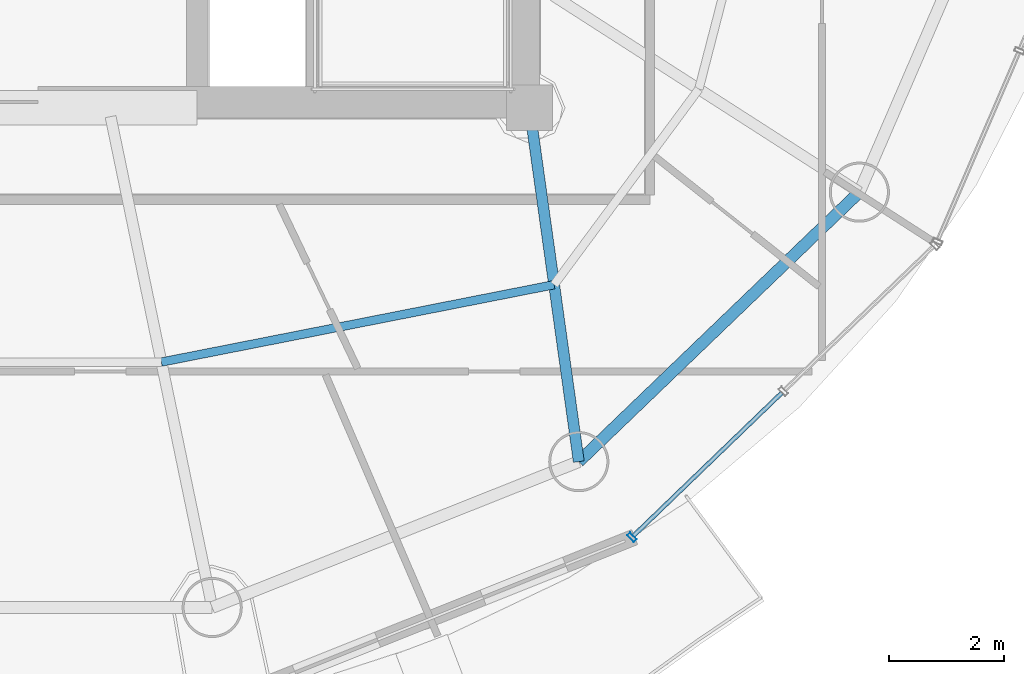
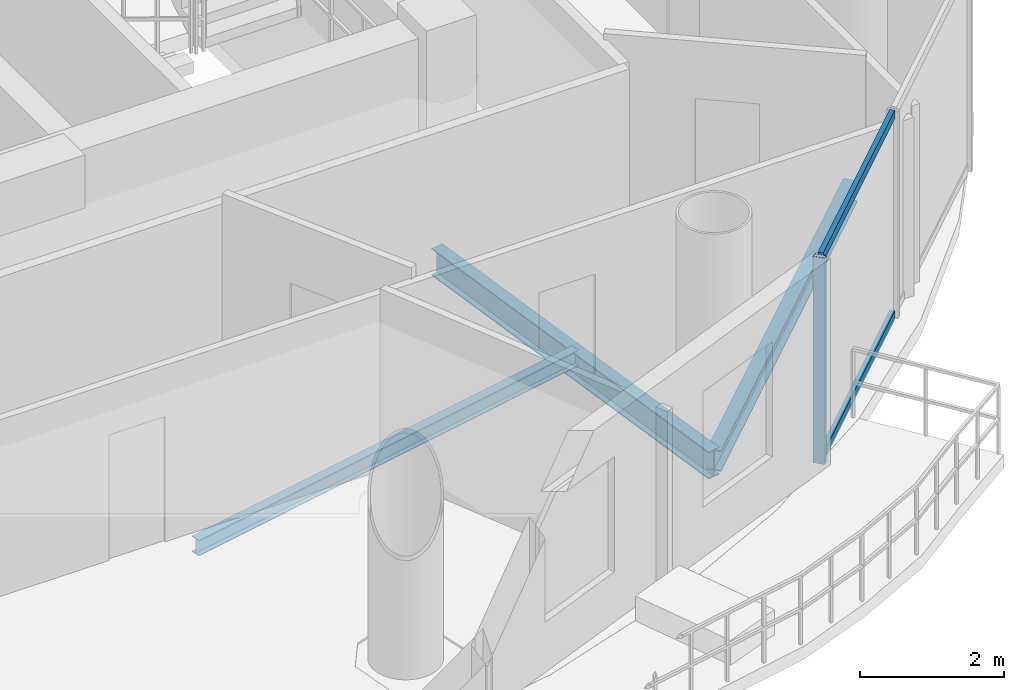
# One storey, part 6 of 24: 3 beams, 3 members, 1 element without a shape of its own.
"""IFC4 building model written with IfcOpenShell, lengths in metres."""

import ifcopenshell
import ifcopenshell.guid

model = None  # the IFC model being written
_history = None  # IfcOwnerHistory: only IFC2X3 demands one
_inside = {}  # id of a spatial element -> (the spatial element, [elements in it])
_under = {}  # id of a project, library or spatial element -> (it, [spatial elements below it])
_declared = {}  # id of a project -> (the project, [libraries it declares])
_typed = {}  # id of a type object -> (the type object, [elements of that type])
_made_of = {}  # id of a material, layer set ... -> (it, [elements and type objects made of it])


def new_model(schema):
    """Start an empty IFC model of exactly this schema.

    Asked for "IFC4X3", IfcOpenShell would pick the latest addendum, in which some entities
    have other attributes; the version numbers below select the first issue.
    IFC2X3 requires an IfcOwnerHistory on every rooted entity: one is made here for all.
    """
    global model, _history
    if schema == "IFC4X3":
        model = ifcopenshell.file(schema_version=(4, 3, 0, 0))
    else:
        model = ifcopenshell.file(schema=schema)
    _inside.clear()
    _under.clear()
    _declared.clear()
    _typed.clear()
    _made_of.clear()
    _history = None
    if model.schema == "IFC2X3":
        org = make("IfcOrganization", Name="unknown")
        user = make(
            "IfcPersonAndOrganization",
            ThePerson=make("IfcPerson", FamilyName="unknown"),
            TheOrganization=org,
        )
        app = make(
            "IfcApplication",
            ApplicationDeveloper=org,
            Version="unknown",
            ApplicationFullName="unknown",
            ApplicationIdentifier="unknown",
        )
        _history = make(
            "IfcOwnerHistory",
            OwningUser=user,
            OwningApplication=app,
            ChangeAction="ADDED",
            CreationDate=0,
        )
    return model


def make(cls, **values):
    """One entity of the class cls with the attributes given. An attribute that is None is left unset."""
    return model.create_entity(
        cls, **{name: value for name, value in values.items() if value is not None}
    )


def rooted(cls, **values):
    """An entity with a GlobalId (a new one), such as an element, a storey or a relation."""
    return make(cls, GlobalId=ifcopenshell.guid.new(), OwnerHistory=_history, **values)


def si_unit(unit_type, name, prefix=None):
    """IfcSIUnit, for example si_unit("LENGTHUNIT", "METRE", prefix="MILLI")."""
    return make("IfcSIUnit", UnitType=unit_type, Prefix=prefix, Name=name)


def assignment(units):
    """IfcUnitAssignment: the units of a project."""
    return None if units is None else make("IfcUnitAssignment", Units=units)


def point(xyz):
    """IfcCartesianPoint."""
    return None if xyz is None else make("IfcCartesianPoint", Coordinates=xyz)


def direction(xyz):
    """IfcDirection."""
    return None if xyz is None else make("IfcDirection", DirectionRatios=xyz)


def frame(location, z_axis=None, x_axis=None):
    """IfcAxis2Placement3D, a coordinate frame: its origin and axes. An axis left out is left unset."""
    return make(
        "IfcAxis2Placement3D",
        Location=point(location),
        Axis=direction(z_axis),
        RefDirection=direction(x_axis),
    )


def frame_2d(location, x_axis=None):
    """IfcAxis2Placement2D, a coordinate frame in the plane: its origin and x axis."""
    return make(
        "IfcAxis2Placement2D", Location=point(location), RefDirection=direction(x_axis)
    )


def origin():
    """The frame at (0, 0, 0) with its axes left unset."""
    return frame((0.0, 0.0, 0.0))


def origin_2d():
    """The frame at (0, 0) in the plane with its x axis left unset."""
    return frame_2d((0.0, 0.0))


def place(relative_to, where):
    """IfcLocalPlacement: puts the frame where relative to a parent placement (None: the world)."""
    return make(
        "IfcLocalPlacement", PlacementRelTo=relative_to, RelativePlacement=where
    )


def context(
    kind, dimensions, precision=None, world=None, true_north=None, identifier=None
):
    """IfcGeometricRepresentationContext, for example the 3D "Model" context."""
    return make(
        "IfcGeometricRepresentationContext",
        ContextIdentifier=identifier,
        ContextType=kind,
        CoordinateSpaceDimension=dimensions,
        Precision=precision,
        WorldCoordinateSystem=world,
        TrueNorth=true_north,
    )


def subcontext(parent, identifier, kind, view, scale=None):
    """IfcGeometricRepresentationSubContext, for example "Body" below "Model"."""
    return make(
        "IfcGeometricRepresentationSubContext",
        ContextIdentifier=identifier,
        ContextType=kind,
        ParentContext=parent,
        TargetScale=scale,
        TargetView=view,
    )


def project(units=None, contexts=None):
    """IfcProject with its units and contexts."""
    return rooted(
        "IfcProject",
        Name="project",
        RepresentationContexts=contexts,
        UnitsInContext=assignment(units),
    )


def spatial(cls, under=None, at=None, **own):
    """A site, building, storey or space (cls), placed at a placement, below another one or the project."""
    s = rooted(cls, ObjectPlacement=at, **own)
    if under is not None:
        _under.setdefault(under.id(), (under, []))[1].append(s)
    return s


def profile(cls, at=None, kind="AREA", **sizes):
    """A parametric profile (cls). Its sizes go by their IFC names, for example OverallWidth=200.0."""
    return make(cls, ProfileType=kind, Position=at, **sizes)


def hollow_rectangle(**sizes):
    """IfcRectangleHollowProfileDef."""
    return profile("IfcRectangleHollowProfileDef", **sizes)


def i_section(**sizes):
    """IfcIShapeProfileDef."""
    return profile("IfcIShapeProfileDef", **sizes)


def extrude(swept, where, along, depth):
    """IfcExtrudedAreaSolid: the profile swept, set in the frame where, extruded along a direction by depth."""
    return make(
        "IfcExtrudedAreaSolid",
        SweptArea=swept,
        Position=where,
        ExtrudedDirection=direction(along),
        Depth=depth,
    )


def shape(context_of_items, identifier, shape_type, items):
    """IfcShapeRepresentation: the items that make up one representation, for example the "Body"."""
    return make(
        "IfcShapeRepresentation",
        ContextOfItems=context_of_items,
        RepresentationIdentifier=identifier,
        RepresentationType=shape_type,
        Items=items,
    )


def source(mapping_origin, context_of_items, identifier, shape_type, items):
    """IfcRepresentationMap: a shape defined once, which mapped items show again and again."""
    return make(
        "IfcRepresentationMap",
        MappingOrigin=mapping_origin,
        MappedRepresentation=shape(context_of_items, identifier, shape_type, items),
    )


def transform(
    local_origin,
    x_axis=None,
    y_axis=None,
    z_axis=None,
    scale=None,
    scale2=None,
    scale3=None,
    uniform=True,
):
    """IfcCartesianTransformationOperator3D, or its non-uniform kind. x_axis, y_axis, z_axis: its Axis1, 2, 3."""
    if uniform:
        return make(
            "IfcCartesianTransformationOperator3D",
            Axis1=direction(x_axis),
            Axis2=direction(y_axis),
            LocalOrigin=point(local_origin),
            Scale=scale,
            Axis3=direction(z_axis),
        )
    return make(
        "IfcCartesianTransformationOperator3DnonUniform",
        Axis1=direction(x_axis),
        Axis2=direction(y_axis),
        LocalOrigin=point(local_origin),
        Scale=scale,
        Axis3=direction(z_axis),
        Scale2=scale2,
        Scale3=scale3,
    )


def mapped(mapping_source, mapping_target):
    """IfcMappedItem: shows the shape of a source again, moved by a transform."""
    return make(
        "IfcMappedItem", MappingSource=mapping_source, MappingTarget=mapping_target
    )


def material(Name=None, Category=None):
    """IfcMaterial."""
    return make("IfcMaterial", Name=Name, Category=Category)


def material_profile(
    of_material, cross_section, Name=None, Category=None, Priority=None
):
    """IfcMaterialProfile: a cross section and its material."""
    return make(
        "IfcMaterialProfile",
        Name=Name,
        Material=of_material,
        Profile=cross_section,
        Priority=Priority,
        Category=Category,
    )


def profile_set(profiles, Name=None, composite=None):
    """IfcMaterialProfileSet."""
    return make(
        "IfcMaterialProfileSet",
        Name=Name,
        MaterialProfiles=profiles,
        CompositeProfile=composite,
    )


def made_of(thing, what):
    """Note that an element or type object is made of a material, layer set ...; save() writes the relation."""
    if what is not None:
        _made_of.setdefault(what.id(), (what, []))[1].append(thing)
    return thing


def type_object(cls, material=None, **own):
    """A type object (cls), such as IfcWallType, which elements share."""
    return made_of(rooted(cls, **own), material)


def element(
    cls,
    number,
    at=None,
    inside=None,
    cuts=None,
    type_object=None,
    material=None,
    context=None,
    identifier="Body",
    shape_type=None,
    held_by="IfcProductDefinitionShape",
    body=None,
    shapes=None,
    **own,
):
    """One element of the class cls, such as IfcWall. Its Tag is "e" and its number.

    at: its placement. inside: the storey or other place that contains it. cuts: it is an
    opening in that element (IfcRelVoidsElement). A single representation is given by context,
    identifier, shape_type and body (its items); several are given by shapes. held_by: the class
    of the entity that holds the representations. save() writes the other relations.
    """
    e = rooted(cls, Tag="e%d" % number, ObjectPlacement=at, **own)
    if body is not None:
        shapes = [shape(context, identifier, shape_type, body)]
    if shapes is not None:
        e.Representation = make(held_by, Representations=shapes)
    if inside is not None:
        _inside.setdefault(inside.id(), (inside, []))[1].append(e)
    if cuts is not None:
        rooted(
            "IfcRelVoidsElement", RelatingBuildingElement=cuts, RelatedOpeningElement=e
        )
    if type_object is not None:
        _typed.setdefault(type_object.id(), (type_object, []))[1].append(e)
    return made_of(e, material)


def aggregate(whole, parts):
    """IfcRelAggregates: a whole, such as a stair, and the parts it consists of."""
    return rooted("IfcRelAggregates", RelatingObject=whole, RelatedObjects=parts)


def save(model, path):
    """Write the relations noted so far, then the file.

    IfcRelAggregates (storeys below a building ...), IfcRelContainedInSpatialStructure (elements
    in a storey), IfcRelDefinesByType, IfcRelAssociatesMaterial and IfcRelDeclares: one each for
    every whole, place, type object, material and project.
    """
    for whole, parts in _under.values():
        aggregate(whole, parts)
    for where, things in _inside.values():
        rooted(
            "IfcRelContainedInSpatialStructure",
            RelatedElements=things,
            RelatingStructure=where,
        )
    for kind, things in _typed.values():
        rooted("IfcRelDefinesByType", RelatedObjects=things, RelatingType=kind)
    for what, things in _made_of.values():
        rooted("IfcRelAssociatesMaterial", RelatedObjects=things, RelatingMaterial=what)
    for by, libraries in _declared.values():
        rooted("IfcRelDeclares", RelatingContext=by, RelatedDefinitions=libraries)
    model.write(path)


model = new_model("IFC4")

# Units and contexts
model_context = context("Model", 3, precision=1e-05, world=origin(), true_north=direction((-0.2419218956, 0.970295726276)))
body_context = subcontext(model_context, "Body", "Model", "MODEL_VIEW")
ifc_project = project(units=[si_unit("LENGTHUNIT", "METRE"), si_unit("AREAUNIT", "SQUARE_METRE"), si_unit("VOLUMEUNIT", "CUBIC_METRE"), si_unit("PLANEANGLEUNIT", "RADIAN"), si_unit("MASSUNIT", "GRAM", prefix="KILO")], contexts=[model_context])

# Site, building, storey
site_placement = place(None, origin())
site = spatial("IfcSite", under=ifc_project, at=site_placement, CompositionType="ELEMENT")
building_placement = place(site_placement, origin())
building = spatial("IfcBuilding", under=site, at=building_placement, Name="Cobrevalo Terracotta Tower", CompositionType="ELEMENT")
storey_placement = place(building_placement, frame((0.0, 0.0, 293.199951171875)))
storey = spatial("IfcBuildingStorey", under=building, at=storey_placement, Name="L77", CompositionType="ELEMENT", Elevation=293.199951171875)

# Beams
ifc_material_1 = material(Name="Steel S355", Category="steel")
ifc_material_profile_1 = material_profile(ifc_material_1, i_section(OverallWidth=0.19091796875, OverallDepth=0.4599609375, WebThickness=0.010009765625, FlangeThickness=0.01611328125, at=origin_2d()), Name="W 460x82")
ifc_profile_set_1 = profile_set([ifc_material_profile_1], Name="Steel S355")
beam_type_1 = type_object("IfcBeamType", Name="Structural Beam W 460x82 (Steel S355)", PredefinedType="BEAM", material=ifc_profile_set_1)
beam_1_placement = place(storey_placement, frame((47.861328125, 12.62353515625, -0.489990234375), z_axis=(-0.138115657759, 0.990416107039, 0.0), x_axis=(-0.990416107039, -0.138115657759, 0.0)))
element("IfcBeam", 1, at=beam_1_placement, inside=storey, type_object=beam_type_1, Name="L77 radial floor girder 14", PredefinedType="BEAM", context=body_context, shape_type="SweptSolid", body=[
    extrude(i_section(OverallWidth=0.19091796875, OverallDepth=0.4599609375, WebThickness=0.010009765625, FlangeThickness=0.01611328125, at=origin_2d()), origin(), (0.0, 0.0, 1.0), 6.236328125),
])
ifc_material_profile_2 = material_profile(ifc_material_1, i_section(OverallWidth=0.14794921875, OverallDepth=0.26611328125, WebThickness=0.007568359375, FlangeThickness=0.012939453125, at=origin_2d()), Name="W 250x44.8")
ifc_profile_set_2 = profile_set([ifc_material_profile_2], Name="Steel S355")
beam_type_2 = type_object("IfcBeamType", Name="Structural Joist W 250x44.8 (Steel S355)", PredefinedType="JOIST", material=ifc_profile_set_2)
beam_2_placement = place(storey_placement, frame((40.57568359375, 14.361328125, -0.39306640625), z_axis=(0.981145060421, 0.193272787563, 0.0), x_axis=(-0.193272787563, 0.981145060421, 0.0)))
element("IfcBeam", 2, at=beam_2_placement, inside=storey, type_object=beam_type_2, Name="L77 circumferential secondary floor joist 13", PredefinedType="JOIST", context=body_context, shape_type="SweptSolid", body=[
    extrude(i_section(OverallWidth=0.14794921875, OverallDepth=0.26611328125, WebThickness=0.007568359375, FlangeThickness=0.012939453125, at=origin_2d()), origin(), (0.0, 0.0, 1.0), 6.98681640625),
])
ifc_material_profile_3 = material_profile(ifc_material_1, i_section(OverallWidth=0.205078125, OverallDepth=0.35400390625, WebThickness=0.009521484375, FlangeThickness=0.016845703125, at=origin_2d()), Name="W 360x79")
ifc_profile_set_3 = profile_set([ifc_material_profile_3], Name="Steel S355")
beam_type_3 = type_object("IfcBeamType", Name="Structural Spandrel W 360x79 (Steel S355)", PredefinedType="SPANDREL", material=ifc_profile_set_3)
beam_3_placement = place(storey_placement, frame((47.861328125, 12.62353515625, -0.43701171875), z_axis=(0.721183246144, 0.692744343522, 0.0), x_axis=(-0.692744343522, 0.721183246144, 0.0)))
element("IfcBeam", 3, at=beam_3_placement, inside=storey, type_object=beam_type_3, Name="L77 perimeter ring spandrel 14", PredefinedType="SPANDREL", context=body_context, shape_type="SweptSolid", body=[
    extrude(i_section(OverallWidth=0.205078125, OverallDepth=0.35400390625, WebThickness=0.009521484375, FlangeThickness=0.016845703125, at=origin_2d()), origin(), (0.0, 0.0, 1.0), 6.79052734375),
])

# Curtain wall, members
ifc_material_2 = material(Name="Anodized aluminium", Category="aluminium")
curtain_wall_type = type_object("IfcCurtainWallType", Name="Upper-tower triple-glazed penthouse curtain wall CW-U3", PredefinedType="NOTDEFINED", material=ifc_material_2)
curtain_wall_placement = place(storey_placement, origin())
curtain_wall = element("IfcCurtainWall", 4, at=curtain_wall_placement, inside=storey, type_object=curtain_wall_type, Name="L77 curtain wall CW-L77-S14", PredefinedType="NOTDEFINED")
ifc_material_profile_4 = material_profile(ifc_material_2, hollow_rectangle(XDim=0.070068359375, YDim=0.169921875, WallThickness=0.00439453125, at=origin_2d()), Name="CWM 70x170")
ifc_profile_set_4 = profile_set([ifc_material_profile_4], Name="Anodized aluminium")
member_type_1 = type_object("IfcMemberType", Name="Upper tower unitised mullion 70x170", PredefinedType="MULLION", material=ifc_profile_set_4)
shared_shape_1 = source(origin(), body_context, "Body", "SweptSolid", [
    extrude(hollow_rectangle(XDim=0.070068359375, YDim=0.169921875, WallThickness=0.00439453125, at=origin_2d()), origin(), (0.0, 0.0, 1.0), 3.489990234375),
])
member_1_placement = place(storey_placement, frame((48.790283203125, 11.30419921875, 0.0), z_axis=(0.0, 0.0, 1.0), x_axis=(0.71999418085, 0.69398010025, 0.0)))
member_1 = element("IfcMember", 5, at=member_1_placement, type_object=member_type_1, Name="CW-L77-S14 vertical mullion 01", PredefinedType="MULLION", context=body_context, shape_type="MappedRepresentation", body=[
    mapped(shared_shape_1, transform((0.0, 0.0, 0.0), scale=1.0)),
])
ifc_material_profile_5 = material_profile(ifc_material_2, hollow_rectangle(XDim=0.074951171875, YDim=0.14990234375, WallThickness=0.00439453125, at=origin_2d()), Name="CWT 75x150")
ifc_profile_set_5 = profile_set([ifc_material_profile_5], Name="Anodized aluminium")
member_type_2 = type_object("IfcMemberType", Name="Tower unitised aluminium transom 75x150", PredefinedType="USERDEFINED", material=ifc_profile_set_5)
shared_shape_2 = source(origin(), body_context, "Body", "SweptSolid", [
    extrude(hollow_rectangle(XDim=0.074951171875, YDim=0.14990234375, WallThickness=0.00439453125, at=origin_2d()), origin(), (0.0, 0.0, 1.0), 3.59130859375),
])
member_2_placement = place(storey_placement, frame((48.819091796875, 11.33203125, 0.050048828125), z_axis=(0.720005628362, 0.693968223427, 0.0), x_axis=(-0.693968223427, 0.720005628362, 0.0)))
member_2 = element("IfcMember", 6, at=member_2_placement, type_object=member_type_2, Name="CW-L77-S14 transom B01-T1", ObjectType="TRANSOM", PredefinedType="USERDEFINED", context=body_context, shape_type="MappedRepresentation", body=[
    mapped(shared_shape_2, transform((0.0, 0.0, 0.0), scale=1.0)),
])
member_3_placement = place(storey_placement, frame((48.819091796875, 11.33203125, 3.43994140625), z_axis=(0.720005628362, 0.693968223427, 0.0), x_axis=(-0.693968223427, 0.720005628362, 0.0)))
member_3 = element("IfcMember", 7, at=member_3_placement, type_object=member_type_2, Name="CW-L77-S14 transom B01-T2", ObjectType="TRANSOM", PredefinedType="USERDEFINED", context=body_context, shape_type="MappedRepresentation", body=[
    mapped(shared_shape_2, transform((0.0, 0.0, 0.0), scale=1.0)),
])
aggregate(curtain_wall, [member_1, member_2, member_3])

save(model, "model.ifc")
